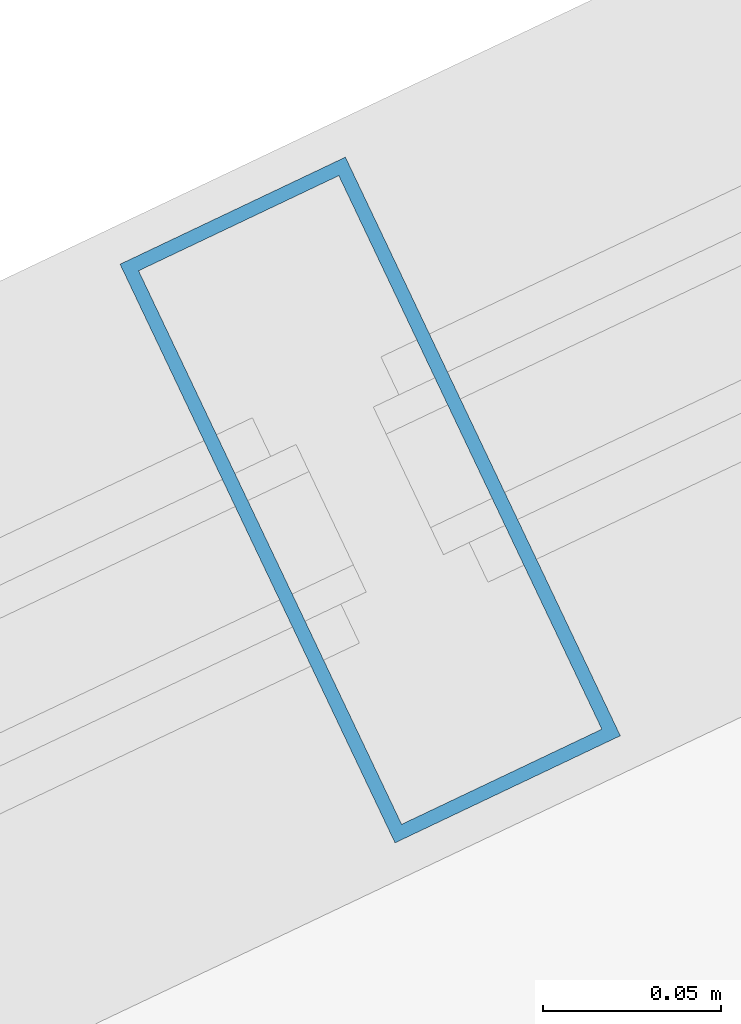
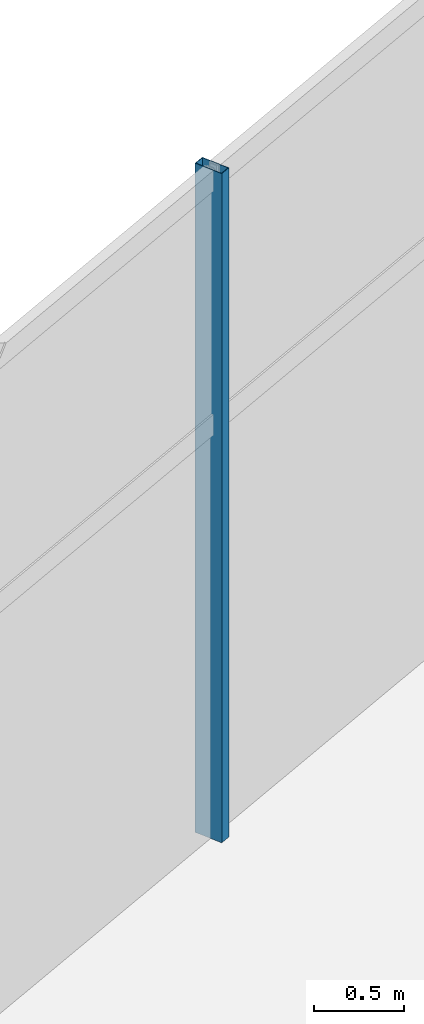
# One storey, part 91 of 186: 1 member, 1 element without a shape of its own.
"""IFC4 building model written with IfcOpenShell, lengths in metres."""

import ifcopenshell
import ifcopenshell.guid

model = None  # the IFC model being written
_history = None  # IfcOwnerHistory: only IFC2X3 demands one
_inside = {}  # id of a spatial element -> (the spatial element, [elements in it])
_under = {}  # id of a project, library or spatial element -> (it, [spatial elements below it])
_declared = {}  # id of a project -> (the project, [libraries it declares])
_typed = {}  # id of a type object -> (the type object, [elements of that type])
_made_of = {}  # id of a material, layer set ... -> (it, [elements and type objects made of it])


def new_model(schema):
    """Start an empty IFC model of exactly this schema.

    Asked for "IFC4X3", IfcOpenShell would pick the latest addendum, in which some entities
    have other attributes; the version numbers below select the first issue.
    IFC2X3 requires an IfcOwnerHistory on every rooted entity: one is made here for all.
    """
    global model, _history
    if schema == "IFC4X3":
        model = ifcopenshell.file(schema_version=(4, 3, 0, 0))
    else:
        model = ifcopenshell.file(schema=schema)
    _inside.clear()
    _under.clear()
    _declared.clear()
    _typed.clear()
    _made_of.clear()
    _history = None
    if model.schema == "IFC2X3":
        org = make("IfcOrganization", Name="unknown")
        user = make(
            "IfcPersonAndOrganization",
            ThePerson=make("IfcPerson", FamilyName="unknown"),
            TheOrganization=org,
        )
        app = make(
            "IfcApplication",
            ApplicationDeveloper=org,
            Version="unknown",
            ApplicationFullName="unknown",
            ApplicationIdentifier="unknown",
        )
        _history = make(
            "IfcOwnerHistory",
            OwningUser=user,
            OwningApplication=app,
            ChangeAction="ADDED",
            CreationDate=0,
        )
    return model


def make(cls, **values):
    """One entity of the class cls with the attributes given. An attribute that is None is left unset."""
    return model.create_entity(
        cls, **{name: value for name, value in values.items() if value is not None}
    )


def rooted(cls, **values):
    """An entity with a GlobalId (a new one), such as an element, a storey or a relation."""
    return make(cls, GlobalId=ifcopenshell.guid.new(), OwnerHistory=_history, **values)


def si_unit(unit_type, name, prefix=None):
    """IfcSIUnit, for example si_unit("LENGTHUNIT", "METRE", prefix="MILLI")."""
    return make("IfcSIUnit", UnitType=unit_type, Prefix=prefix, Name=name)


def assignment(units):
    """IfcUnitAssignment: the units of a project."""
    return None if units is None else make("IfcUnitAssignment", Units=units)


def point(xyz):
    """IfcCartesianPoint."""
    return None if xyz is None else make("IfcCartesianPoint", Coordinates=xyz)


def direction(xyz):
    """IfcDirection."""
    return None if xyz is None else make("IfcDirection", DirectionRatios=xyz)


def frame(location, z_axis=None, x_axis=None):
    """IfcAxis2Placement3D, a coordinate frame: its origin and axes. An axis left out is left unset."""
    return make(
        "IfcAxis2Placement3D",
        Location=point(location),
        Axis=direction(z_axis),
        RefDirection=direction(x_axis),
    )


def frame_2d(location, x_axis=None):
    """IfcAxis2Placement2D, a coordinate frame in the plane: its origin and x axis."""
    return make(
        "IfcAxis2Placement2D", Location=point(location), RefDirection=direction(x_axis)
    )


def origin():
    """The frame at (0, 0, 0) with its axes left unset."""
    return frame((0.0, 0.0, 0.0))


def origin_2d():
    """The frame at (0, 0) in the plane with its x axis left unset."""
    return frame_2d((0.0, 0.0))


def place(relative_to, where):
    """IfcLocalPlacement: puts the frame where relative to a parent placement (None: the world)."""
    return make(
        "IfcLocalPlacement", PlacementRelTo=relative_to, RelativePlacement=where
    )


def context(
    kind, dimensions, precision=None, world=None, true_north=None, identifier=None
):
    """IfcGeometricRepresentationContext, for example the 3D "Model" context."""
    return make(
        "IfcGeometricRepresentationContext",
        ContextIdentifier=identifier,
        ContextType=kind,
        CoordinateSpaceDimension=dimensions,
        Precision=precision,
        WorldCoordinateSystem=world,
        TrueNorth=true_north,
    )


def subcontext(parent, identifier, kind, view, scale=None):
    """IfcGeometricRepresentationSubContext, for example "Body" below "Model"."""
    return make(
        "IfcGeometricRepresentationSubContext",
        ContextIdentifier=identifier,
        ContextType=kind,
        ParentContext=parent,
        TargetScale=scale,
        TargetView=view,
    )


def project(units=None, contexts=None):
    """IfcProject with its units and contexts."""
    return rooted(
        "IfcProject",
        Name="project",
        RepresentationContexts=contexts,
        UnitsInContext=assignment(units),
    )


def spatial(cls, under=None, at=None, **own):
    """A site, building, storey or space (cls), placed at a placement, below another one or the project."""
    s = rooted(cls, ObjectPlacement=at, **own)
    if under is not None:
        _under.setdefault(under.id(), (under, []))[1].append(s)
    return s


def profile(cls, at=None, kind="AREA", **sizes):
    """A parametric profile (cls). Its sizes go by their IFC names, for example OverallWidth=200.0."""
    return make(cls, ProfileType=kind, Position=at, **sizes)


def hollow_rectangle(**sizes):
    """IfcRectangleHollowProfileDef."""
    return profile("IfcRectangleHollowProfileDef", **sizes)


def extrude(swept, where, along, depth):
    """IfcExtrudedAreaSolid: the profile swept, set in the frame where, extruded along a direction by depth."""
    return make(
        "IfcExtrudedAreaSolid",
        SweptArea=swept,
        Position=where,
        ExtrudedDirection=direction(along),
        Depth=depth,
    )


def shape(context_of_items, identifier, shape_type, items):
    """IfcShapeRepresentation: the items that make up one representation, for example the "Body"."""
    return make(
        "IfcShapeRepresentation",
        ContextOfItems=context_of_items,
        RepresentationIdentifier=identifier,
        RepresentationType=shape_type,
        Items=items,
    )


def material(Name=None, Category=None):
    """IfcMaterial."""
    return make("IfcMaterial", Name=Name, Category=Category)


def layer(
    of_material, thickness, ventilated=None, Name=None, Category=None, Priority=None
):
    """IfcMaterialLayer: one layer of a wall or slab, of a material (None: an air gap)."""
    return make(
        "IfcMaterialLayer",
        Material=of_material,
        LayerThickness=thickness,
        IsVentilated=ventilated,
        Name=Name,
        Category=Category,
        Priority=Priority,
    )


def layer_set(layers, Name=None):
    """IfcMaterialLayerSet."""
    return make("IfcMaterialLayerSet", MaterialLayers=layers, LayerSetName=Name)


def material_profile(
    of_material, cross_section, Name=None, Category=None, Priority=None
):
    """IfcMaterialProfile: a cross section and its material."""
    return make(
        "IfcMaterialProfile",
        Name=Name,
        Material=of_material,
        Profile=cross_section,
        Priority=Priority,
        Category=Category,
    )


def profile_set(profiles, Name=None, composite=None):
    """IfcMaterialProfileSet."""
    return make(
        "IfcMaterialProfileSet",
        Name=Name,
        MaterialProfiles=profiles,
        CompositeProfile=composite,
    )


def made_of(thing, what):
    """Note that an element or type object is made of a material, layer set ...; save() writes the relation."""
    if what is not None:
        _made_of.setdefault(what.id(), (what, []))[1].append(thing)
    return thing


def type_object(cls, material=None, **own):
    """A type object (cls), such as IfcWallType, which elements share."""
    return made_of(rooted(cls, **own), material)


def element(
    cls,
    number,
    at=None,
    inside=None,
    cuts=None,
    type_object=None,
    material=None,
    context=None,
    identifier="Body",
    shape_type=None,
    held_by="IfcProductDefinitionShape",
    body=None,
    shapes=None,
    **own,
):
    """One element of the class cls, such as IfcWall. Its Tag is "e" and its number.

    at: its placement. inside: the storey or other place that contains it. cuts: it is an
    opening in that element (IfcRelVoidsElement). A single representation is given by context,
    identifier, shape_type and body (its items); several are given by shapes. held_by: the class
    of the entity that holds the representations. save() writes the other relations.
    """
    e = rooted(cls, Tag="e%d" % number, ObjectPlacement=at, **own)
    if body is not None:
        shapes = [shape(context, identifier, shape_type, body)]
    if shapes is not None:
        e.Representation = make(held_by, Representations=shapes)
    if inside is not None:
        _inside.setdefault(inside.id(), (inside, []))[1].append(e)
    if cuts is not None:
        rooted(
            "IfcRelVoidsElement", RelatingBuildingElement=cuts, RelatedOpeningElement=e
        )
    if type_object is not None:
        _typed.setdefault(type_object.id(), (type_object, []))[1].append(e)
    return made_of(e, material)


def aggregate(whole, parts):
    """IfcRelAggregates: a whole, such as a stair, and the parts it consists of."""
    return rooted("IfcRelAggregates", RelatingObject=whole, RelatedObjects=parts)


def save(model, path):
    """Write the relations noted so far, then the file.

    IfcRelAggregates (storeys below a building ...), IfcRelContainedInSpatialStructure (elements
    in a storey), IfcRelDefinesByType, IfcRelAssociatesMaterial and IfcRelDeclares: one each for
    every whole, place, type object, material and project.
    """
    for whole, parts in _under.values():
        aggregate(whole, parts)
    for where, things in _inside.values():
        rooted(
            "IfcRelContainedInSpatialStructure",
            RelatedElements=things,
            RelatingStructure=where,
        )
    for kind, things in _typed.values():
        rooted("IfcRelDefinesByType", RelatedObjects=things, RelatingType=kind)
    for what, things in _made_of.values():
        rooted("IfcRelAssociatesMaterial", RelatedObjects=things, RelatingMaterial=what)
    for by, libraries in _declared.values():
        rooted("IfcRelDeclares", RelatingContext=by, RelatedDefinitions=libraries)
    model.write(path)


model = new_model("IFC4")

# Units and contexts
model_context = context("Model", 3, precision=1e-05, world=origin(), true_north=direction((0.0, 1.0)))
body_context = subcontext(model_context, "Body", "Model", "MODEL_VIEW")
ifc_project = project(units=[si_unit("LENGTHUNIT", "METRE"), si_unit("AREAUNIT", "SQUARE_METRE"), si_unit("VOLUMEUNIT", "CUBIC_METRE"), si_unit("PLANEANGLEUNIT", "RADIAN"), si_unit("MASSUNIT", "GRAM", prefix="KILO")], contexts=[model_context])

# Site, building, storey
site_placement = place(None, origin())
site = spatial("IfcSite", under=ifc_project, at=site_placement, CompositionType="ELEMENT")
building_placement = place(site_placement, origin())
building = spatial("IfcBuilding", under=site, at=building_placement, Name="Kazemori Nagisa Stadium", CompositionType="ELEMENT")
storey_placement = place(building_placement, frame((0.0, 0.0, 20.39990234375)))
storey = spatial("IfcBuildingStorey", under=building, at=storey_placement, Name="L04", CompositionType="ELEMENT", Elevation=20.39990234375)

# Curtain wall, member
ifc_material_1 = material(Name="Anodised aluminium 6063-T5", Category="aluminium")
ifc_layer = layer(ifc_material_1, 0.179931640625, Name="Anodised aluminium 6063-T5", Category="aluminium")
ifc_layer_set = layer_set([ifc_layer], Name="Anodised aluminium 6063-T5")
curtain_wall_type = type_object("IfcCurtainWallType", Name="CW_L04R3_107", PredefinedType="USERDEFINED", material=ifc_layer_set)
curtain_wall_placement = place(storey_placement, origin())
curtain_wall = element("IfcCurtainWall", 1, at=curtain_wall_placement, inside=storey, type_object=curtain_wall_type, Name="Unitised curtain wall CW-L04R3-107 L04", ObjectType="UNITISED CURTAIN WALL", PredefinedType="USERDEFINED")
ifc_material_2 = material(Name="Aluminium 6063-T5 anodised", Category="aluminium")
ifc_material_profile = material_profile(ifc_material_2, hollow_rectangle(XDim=0.070068359375, YDim=0.179931640625, WallThickness=0.00390625, at=origin_2d()), Name="ALU-MULL-70x180x4")
ifc_profile_set = profile_set([ifc_material_profile], Name="Aluminium 6063-T5 anodised")
member_type = type_object("IfcMemberType", Name="Mullion_M01", PredefinedType="MULLION", material=ifc_profile_set)
member_placement = place(storey_placement, frame((67.07666015625, 176.23046875, 0.0), z_axis=(0.0, 0.0, 1.0), x_axis=(-0.903215892654, -0.429186499388, 0.0)))
member = element("IfcMember", 2, at=member_placement, type_object=member_type, Name="Curtain wall mullion CW-L04R3-107-M3", PredefinedType="MULLION", context=body_context, shape_type="SweptSolid", body=[
    extrude(hollow_rectangle(XDim=0.070068359375, YDim=0.179931640625, WallThickness=0.00390625, at=origin_2d()), origin(), (0.0, 0.0, 1.0), 4.530029296875),
])
aggregate(curtain_wall, [member])

save(model, "model.ifc")
